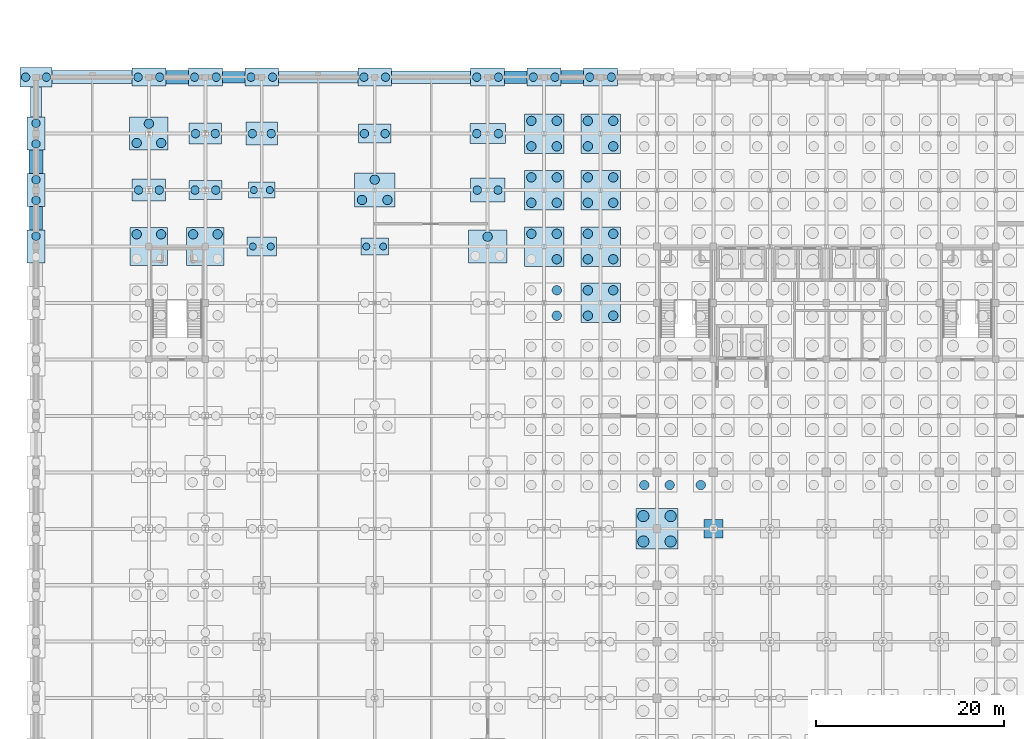
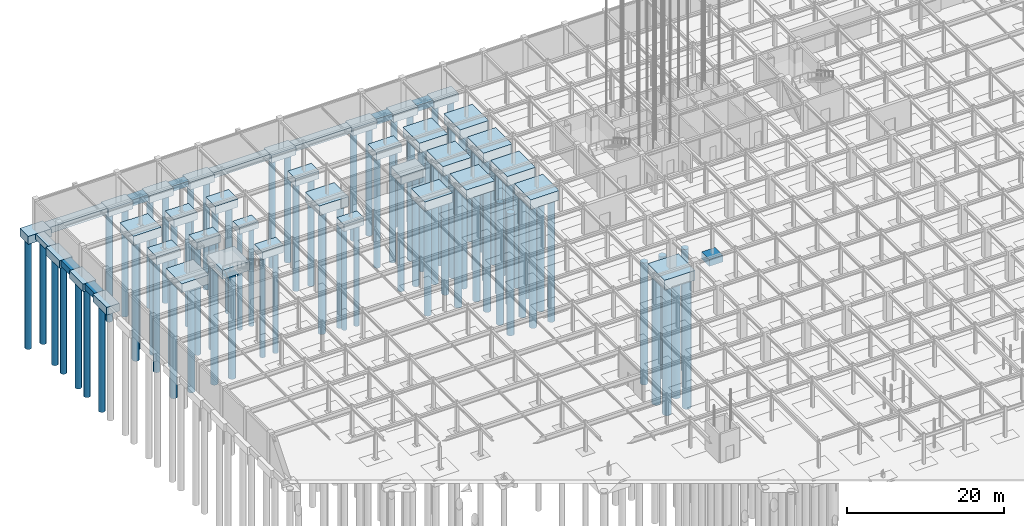
# One storey, part 6 of 69: 88 piles, 45 footings.
"""IFC4 building model written with IfcOpenShell, lengths in metres."""

from ifc_helpers import new_model, si_unit, direction, frame, origin, origin_2d, place, context, subcontext, project, spatial, rectangle, circle, extrude, material, material_profile, profile_set, type_object, element, save


model = new_model("IFC4")

# Units and contexts
model_context = context("Model", 3, precision=1e-05, world=origin(), true_north=direction((0.0, 1.0)))
body_context = subcontext(model_context, "Body", "Model", "MODEL_VIEW")
ifc_project = project(units=[si_unit("LENGTHUNIT", "METRE"), si_unit("AREAUNIT", "SQUARE_METRE"), si_unit("VOLUMEUNIT", "CUBIC_METRE"), si_unit("PLANEANGLEUNIT", "RADIAN"), si_unit("MASSUNIT", "GRAM", prefix="KILO")], contexts=[model_context])

# Site, building, storey
site_placement = place(None, origin())
site = spatial("IfcSite", under=ifc_project, at=site_placement, CompositionType="ELEMENT")
building_placement = place(site_placement, origin())
building = spatial("IfcBuilding", under=site, at=building_placement, Name="Zlatovratsky Civic Hall", CompositionType="ELEMENT")
storey_placement = place(building_placement, frame((0.0, 0.0, -4.800048828125)))
storey = spatial("IfcBuildingStorey", under=building, at=storey_placement, Name="B1", CompositionType="ELEMENT", Elevation=-4.800048828125)

# Footings
ifc_material = material(Name="Concrete C25/30 (B30)", Category="concrete")
footing_type_1 = type_object("IfcFootingType", Name="Footing_Cap1_ChamberUnder_2000x2000x1050", PredefinedType="PILE_CAP", material=ifc_material)
footing_1_placement = place(storey_placement, frame((72.0, 66.0, -1.0498046875), z_axis=(0.0, 0.0, 1.0), x_axis=(1.0, 0.0, 0.0)))
element("IfcFooting", 1, at=footing_1_placement, inside=storey, type_object=footing_type_1, Name="FD-217", PredefinedType="PILE_CAP", context=body_context, shape_type="SweptSolid", body=[
    extrude(rectangle(XDim=2.0, YDim=2.0, at=origin_2d()), origin(), (0.0, 0.0, 1.0), 1.050048828125),
])
footing_type_2 = type_object("IfcFootingType", Name="Footing_Cap2_ArchiveN_3500x2000x1200", PredefinedType="PILE_CAP", material=ifc_material)
for number, where, z_axis, x_axis, name in (
    (2, (18.0, 102.0, -1.19970703125), (0.0, 0.0, 1.0), (1.0, 0.0, 0.0), "FD-348"),
    (3, (36.0, 108.0, -1.19970703125), (0.0, 0.0, 1.0), (1.0, 0.0, 0.0), "FD-373"),
):
    element("IfcFooting", number, at=place(storey_placement, frame(where, z_axis=z_axis, x_axis=x_axis)), inside=storey, type_object=footing_type_2, Name=name, PredefinedType="PILE_CAP", context=body_context, shape_type="SweptSolid", body=[
        extrude(rectangle(XDim=3.5, YDim=2.0, at=origin_2d()), origin(), (0.0, 0.0, 1.0), 1.199951171875),
    ])
footing_type_3 = type_object("IfcFootingType", Name="Footing_Cap2_Boulevard_3550x2350x1300", PredefinedType="PILE_CAP", material=ifc_material)
footing_2_placement = place(storey_placement, frame((12.0, 102.0, -1.2998046875), z_axis=(0.0, 0.0, 1.0), x_axis=(1.0, 0.0, 0.0)))
element("IfcFooting", 4, at=footing_2_placement, inside=storey, type_object=footing_type_3, Name="FD-347", PredefinedType="PILE_CAP", context=body_context, shape_type="SweptSolid", body=[
    extrude(rectangle(XDim=3.550048828125, YDim=2.35009765625, at=origin_2d()), origin(), (0.0, 0.0, 1.0), 1.300048828125),
])
footing_type_4 = type_object("IfcFootingType", Name="Footing_Cap2_CornerBastion_3400x2100x1250", PredefinedType="PILE_CAP", material=ifc_material)
footing_3_placement = place(storey_placement, frame((0.0, 114.0, -1.25), z_axis=(0.0, 0.0, 1.0), x_axis=(1.0, 0.0, 0.0)))
element("IfcFooting", 5, at=footing_3_placement, inside=storey, type_object=footing_type_4, Name="FD-392", PredefinedType="PILE_CAP", context=body_context, shape_type="SweptSolid", body=[
    extrude(rectangle(XDim=3.39990234375, YDim=2.10009765625, at=origin_2d()), origin(), (0.0, 0.0, 1.0), 1.25),
])
footing_type_5 = type_object("IfcFootingType", Name="Footing_Cap2_CourtN_2950x1850x1100", PredefinedType="PILE_CAP", material=ifc_material)
footing_4_placement = place(storey_placement, frame((36.0, 96.0, -1.10009765625), z_axis=(0.0, 0.0, 1.0), x_axis=(1.0, 0.0, 0.0)))
element("IfcFooting", 6, at=footing_4_placement, inside=storey, type_object=footing_type_5, Name="FD-327", PredefinedType="PILE_CAP", context=body_context, shape_type="SweptSolid", body=[
    extrude(rectangle(XDim=2.949951171875, YDim=1.85009765625, at=origin_2d()), origin(), (0.0, 0.0, 1.0), 1.10009765625),
])
footing_type_6 = type_object("IfcFootingType", Name="Footing_Cap2_CourtS_2800x1700x1050", PredefinedType="PILE_CAP", material=ifc_material)
footing_5_placement = place(storey_placement, frame((24.0, 102.0, -1.0498046875), z_axis=(0.0, 0.0, 1.0), x_axis=(1.0, 0.0, 0.0)))
element("IfcFooting", 7, at=footing_5_placement, inside=storey, type_object=footing_type_6, Name="FD-349", PredefinedType="PILE_CAP", context=body_context, shape_type="SweptSolid", body=[
    extrude(rectangle(XDim=2.800048828125, YDim=1.699951171875, at=origin_2d()), origin(), (0.0, 0.0, 1.0), 1.050048828125),
])
footing_type_7 = type_object("IfcFootingType", Name="Footing_Cap2_Galleria_3150x2050x1150", PredefinedType="PILE_CAP", material=ifc_material)
footing_6_placement = place(storey_placement, frame((24.0, 96.0, -1.14990234375), z_axis=(0.0, 0.0, 1.0), x_axis=(1.0, 0.0, 0.0)))
element("IfcFooting", 8, at=footing_6_placement, inside=storey, type_object=footing_type_7, Name="FD-326", PredefinedType="PILE_CAP", context=body_context, shape_type="SweptSolid", body=[
    extrude(rectangle(XDim=3.14990234375, YDim=2.050048828125, at=origin_2d()), origin(), (0.0, 0.0, 1.0), 1.14990234375),
])
footing_type_8 = type_object("IfcFootingType", Name="Footing_Cap2_LibraryE_3650x2550x1300", PredefinedType="PILE_CAP", material=ifc_material)
footing_7_placement = place(storey_placement, frame((48.0, 102.0, -1.2998046875), z_axis=(0.0, 0.0, 1.0), x_axis=(1.0, 0.0, 0.0)))
element("IfcFooting", 9, at=footing_7_placement, inside=storey, type_object=footing_type_8, Name="FD-351", PredefinedType="PILE_CAP", context=body_context, shape_type="SweptSolid", body=[
    extrude(rectangle(XDim=3.64990234375, YDim=2.550048828125, at=origin_2d()), origin(), (0.0, 0.0, 1.0), 1.300048828125),
])
footing_type_9 = type_object("IfcFootingType", Name="Footing_Cap2_PlantB1_3350x2450x1250", PredefinedType="PILE_CAP", material=ifc_material)
footing_8_placement = place(storey_placement, frame((24.0, 108.0, -1.25), z_axis=(0.0, 0.0, 1.0), x_axis=(1.0, 0.0, 0.0)))
element("IfcFooting", 10, at=footing_8_placement, inside=storey, type_object=footing_type_9, Name="FD-372", PredefinedType="PILE_CAP", context=body_context, shape_type="SweptSolid", body=[
    extrude(rectangle(XDim=3.35009765625, YDim=2.449951171875, at=origin_2d()), origin(), (0.0, 0.0, 1.0), 1.25),
])
footing_type_10 = type_object("IfcFootingType", Name="Footing_Cap2_ReceptionW_3450x2250x1200", PredefinedType="PILE_CAP", material=ifc_material)
footing_9_placement = place(storey_placement, frame((18.0, 108.0, -1.19970703125), z_axis=(0.0, 0.0, 1.0), x_axis=(1.0, 0.0, 0.0)))
element("IfcFooting", 11, at=footing_9_placement, inside=storey, type_object=footing_type_10, Name="FD-371", PredefinedType="PILE_CAP", context=body_context, shape_type="SweptSolid", body=[
    extrude(rectangle(XDim=3.449951171875, YDim=2.25, at=origin_2d()), origin(), (0.0, 0.0, 1.0), 1.199951171875),
])
footing_type_11 = type_object("IfcFootingType", Name="Footing_Cap2_ServiceE_3750x2150x1250", PredefinedType="PILE_CAP", material=ifc_material)
footing_10_placement = place(storey_placement, frame((48.0, 108.0, -1.25), z_axis=(0.0, 0.0, 1.0), x_axis=(1.0, 0.0, 0.0)))
element("IfcFooting", 12, at=footing_10_placement, inside=storey, type_object=footing_type_11, Name="FD-374", PredefinedType="PILE_CAP", context=body_context, shape_type="SweptSolid", body=[
    extrude(rectangle(XDim=3.75, YDim=2.14990234375, at=origin_2d()), origin(), (0.0, 0.0, 1.0), 1.25),
])
footing_type_12 = type_object("IfcFootingType", Name="Footing_Cap2_WingEdgeX_3600x1900x1200", PredefinedType="PILE_CAP", material=ifc_material)
for number, where, z_axis, x_axis, name in (
    (13, (12.0, 114.0, -1.19970703125), (0.0, 0.0, 1.0), (1.0, 0.0, 0.0), "FD-393"),
    (14, (18.0, 114.0, -1.19970703125), (0.0, 0.0, 1.0), (1.0, 0.0, 0.0), "FD-394"),
    (15, (24.0, 114.0, -1.19970703125), (0.0, 0.0, 1.0), (1.0, 0.0, 0.0), "FD-395"),
    (16, (36.0, 114.0, -1.19970703125), (0.0, 0.0, 1.0), (1.0, 0.0, 0.0), "FD-396"),
    (17, (48.0, 114.0, -1.19970703125), (0.0, 0.0, 1.0), (1.0, 0.0, 0.0), "FD-397"),
    (18, (54.0, 114.0, -1.19970703125), (0.0, 0.0, 1.0), (1.0, 0.0, 0.0), "FD-398"),
    (19, (60.0, 114.0, -1.19970703125), (0.0, 0.0, 1.0), (1.0, 0.0, 0.0), "FD-399"),
):
    element("IfcFooting", number, at=place(storey_placement, frame(where, z_axis=z_axis, x_axis=x_axis)), inside=storey, type_object=footing_type_12, Name=name, PredefinedType="PILE_CAP", context=body_context, shape_type="SweptSolid", body=[
        extrude(rectangle(XDim=3.60009765625, YDim=1.89990234375, at=origin_2d()), origin(), (0.0, 0.0, 1.0), 1.199951171875),
    ])
footing_type_13 = type_object("IfcFootingType", Name="Footing_Cap2_WingEdgeY_1900x3500x1200", PredefinedType="PILE_CAP", material=ifc_material)
for number, where, z_axis, x_axis, name in (
    (20, (0.0, 96.0, -1.19970703125), (0.0, 0.0, 1.0), (1.0, 0.0, 0.0), "FD-323"),
    (21, (0.0, 102.0, -1.19970703125), (0.0, 0.0, 1.0), (1.0, 0.0, 0.0), "FD-346"),
    (22, (0.0, 108.0, -1.19970703125), (0.0, 0.0, 1.0), (1.0, 0.0, 0.0), "FD-369"),
):
    element("IfcFooting", number, at=place(storey_placement, frame(where, z_axis=z_axis, x_axis=x_axis)), inside=storey, type_object=footing_type_13, Name=name, PredefinedType="PILE_CAP", context=body_context, shape_type="SweptSolid", body=[
        extrude(rectangle(XDim=1.89990234375, YDim=3.5, at=origin_2d()), origin(), (0.0, 0.0, 1.0), 1.199951171875),
    ])
footing_type_14 = type_object("IfcFootingType", Name="Footing_Cap3_TowerFlank_4100x3500x1450", PredefinedType="PILE_CAP", material=ifc_material)
for number, where, z_axis, x_axis, name in (
    (23, (48.0, 96.0, -1.44970703125), (0.0, 0.0, 1.0), (1.0, 0.0, 0.0), "FD-328"),
    (24, (12.0, 108.0, -1.44970703125), (0.0, 0.0, 1.0), (1.0, 0.0, 0.0), "FD-370"),
):
    element("IfcFooting", number, at=place(storey_placement, frame(where, z_axis=z_axis, x_axis=x_axis)), inside=storey, type_object=footing_type_14, Name=name, PredefinedType="PILE_CAP", context=body_context, shape_type="SweptSolid", body=[
        extrude(rectangle(XDim=4.10009765625, YDim=3.5, at=origin_2d()), origin(), (0.0, 0.0, 1.0), 1.449951171875),
    ])
footing_type_15 = type_object("IfcFootingType", Name="Footing_Cap3_TowerNorth_4300x3600x1500", PredefinedType="PILE_CAP", material=ifc_material)
footing_11_placement = place(storey_placement, frame((36.0, 102.0, -1.5), z_axis=(0.0, 0.0, 1.0), x_axis=(1.0, 0.0, 0.0)))
element("IfcFooting", 25, at=footing_11_placement, inside=storey, type_object=footing_type_15, Name="FD-350", PredefinedType="PILE_CAP", context=body_context, shape_type="SweptSolid", body=[
    extrude(rectangle(XDim=4.300048828125, YDim=3.60009765625, at=origin_2d()), origin(), (0.0, 0.0, 1.0), 1.5),
])
footing_type_16 = type_object("IfcFootingType", Name="Footing_Cap4_ChamberDrum_4500x4300x1550", PredefinedType="PILE_CAP", material=ifc_material)
footing_12_placement = place(storey_placement, frame((66.0, 66.0, -1.5498046875), z_axis=(0.0, 0.0, 1.0), x_axis=(1.0, 0.0, 0.0)))
element("IfcFooting", 26, at=footing_12_placement, inside=storey, type_object=footing_type_16, Name="FD-216", PredefinedType="PILE_CAP", context=body_context, shape_type="SweptSolid", body=[
    extrude(rectangle(XDim=4.5, YDim=4.300048828125, at=origin_2d()), origin(), (0.0, 0.0, 1.0), 1.550048828125),
])
footing_type_17 = type_object("IfcFootingType", Name="Footing_Cap4_PodiumCore_4000x4000x1400", PredefinedType="PILE_CAP", material=ifc_material)
for number, where, z_axis, x_axis, name in (
    (27, (12.0, 96.0, -1.39990234375), (0.0, 0.0, 1.0), (1.0, 0.0, 0.0), "FD-324"),
    (28, (18.0, 96.0, -1.39990234375), (0.0, 0.0, 1.0), (1.0, 0.0, 0.0), "FD-325"),
):
    element("IfcFooting", number, at=place(storey_placement, frame(where, z_axis=z_axis, x_axis=x_axis)), inside=storey, type_object=footing_type_17, Name=name, PredefinedType="PILE_CAP", context=body_context, shape_type="SweptSolid", body=[
        extrude(rectangle(XDim=4.0, YDim=4.0, at=origin_2d()), origin(), (0.0, 0.0, 1.0), 1.39990234375),
    ])
footing_type_18 = type_object("IfcFootingType", Name="Footing_Cap4_TowerMid_4200x4200x1500", PredefinedType="PILE_CAP", material=ifc_material)
for number, where, z_axis, x_axis, name in (
    (29, (60.0, 90.0, -1.5), (0.0, 0.0, 1.0), (1.0, 0.0, 0.0), "FD-307"),
    (30, (54.0, 96.0, -1.5), (0.0, 0.0, 1.0), (1.0, 0.0, 0.0), "FD-329"),
    (31, (60.0, 96.0, -1.5), (0.0, 0.0, 1.0), (1.0, 0.0, 0.0), "FD-330"),
    (32, (54.0, 102.0, -1.5), (0.0, 0.0, 1.0), (1.0, 0.0, 0.0), "FD-352"),
    (33, (60.0, 102.0, -1.5), (0.0, 0.0, 1.0), (1.0, 0.0, 0.0), "FD-353"),
    (34, (54.0, 108.0, -1.5), (0.0, 0.0, 1.0), (1.0, 0.0, 0.0), "FD-375"),
    (35, (60.0, 108.0, -1.5), (0.0, 0.0, 1.0), (1.0, 0.0, 0.0), "FD-376"),
):
    element("IfcFooting", number, at=place(storey_placement, frame(where, z_axis=z_axis, x_axis=x_axis)), inside=storey, type_object=footing_type_18, Name=name, PredefinedType="PILE_CAP", context=body_context, shape_type="SweptSolid", body=[
        extrude(rectangle(XDim=4.199951171875, YDim=4.199951171875, at=origin_2d()), origin(), (0.0, 0.0, 1.0), 1.5),
    ])
footing_type_19 = type_object("IfcFootingType", Name="Footing_Strip_B1_01", PredefinedType="STRIP_FOOTING", material=ifc_material)
footing_13_placement = place(storey_placement, frame((21.0, 114.0, -0.85009765625), z_axis=(0.0, 0.0, 1.0), x_axis=(1.0, 0.0, 0.0)))
element("IfcFooting", 36, at=footing_13_placement, inside=storey, type_object=footing_type_19, Name="FD-439", PredefinedType="STRIP_FOOTING", context=body_context, shape_type="SweptSolid", body=[
    extrude(rectangle(XDim=2.39990234375, YDim=1.199951171875, at=origin_2d()), origin(), (0.0, 0.0, 1.0), 0.85009765625),
])
footing_14_placement = place(storey_placement, frame((0.0, 111.35009765625, -0.85009765625), z_axis=(0.0, 0.0, 1.0), x_axis=(1.0, 0.0, 0.0)))
element("IfcFooting", 37, at=footing_14_placement, inside=storey, type_object=footing_type_19, Name="FD-475", PredefinedType="STRIP_FOOTING", context=body_context, shape_type="SweptSolid", body=[
    extrude(rectangle(XDim=1.199951171875, YDim=3.199951171875, at=origin_2d()), origin(), (0.0, 0.0, 1.0), 0.85009765625),
])
footing_type_20 = type_object("IfcFootingType", Name="Footing_Strip_B1_02", PredefinedType="STRIP_FOOTING", material=ifc_material)
footing_15_placement = place(storey_placement, frame((30.0, 114.0, -0.85009765625), z_axis=(0.0, 0.0, 1.0), x_axis=(1.0, 0.0, 0.0)))
element("IfcFooting", 38, at=footing_15_placement, inside=storey, type_object=footing_type_20, Name="FD-440", PredefinedType="STRIP_FOOTING", context=body_context, shape_type="SweptSolid", body=[
    extrude(rectangle(XDim=8.39990234375, YDim=1.25, at=origin_2d()), origin(), (0.0, 0.0, 1.0), 0.85009765625),
])
footing_type_21 = type_object("IfcFootingType", Name="Footing_Strip_B1_03", PredefinedType="STRIP_FOOTING", material=ifc_material)
footing_16_placement = place(storey_placement, frame((42.0, 114.0, -0.89990234375), z_axis=(0.0, 0.0, 1.0), x_axis=(1.0, 0.0, 0.0)))
element("IfcFooting", 39, at=footing_16_placement, inside=storey, type_object=footing_type_21, Name="FD-441", PredefinedType="STRIP_FOOTING", context=body_context, shape_type="SweptSolid", body=[
    extrude(rectangle(XDim=8.39990234375, YDim=1.300048828125, at=origin_2d()), origin(), (0.0, 0.0, 1.0), 0.89990234375),
])
footing_type_22 = type_object("IfcFootingType", Name="Footing_Strip_B1_04", PredefinedType="STRIP_FOOTING", material=ifc_material)
footing_17_placement = place(storey_placement, frame((51.0, 114.0, -0.89990234375), z_axis=(0.0, 0.0, 1.0), x_axis=(1.0, 0.0, 0.0)))
element("IfcFooting", 40, at=footing_17_placement, inside=storey, type_object=footing_type_22, Name="FD-442", PredefinedType="STRIP_FOOTING", context=body_context, shape_type="SweptSolid", body=[
    extrude(rectangle(XDim=2.39990234375, YDim=1.35009765625, at=origin_2d()), origin(), (0.0, 0.0, 1.0), 0.89990234375),
])
footing_type_23 = type_object("IfcFootingType", Name="Footing_Strip_B1_05", PredefinedType="STRIP_FOOTING", material=ifc_material)
footing_18_placement = place(storey_placement, frame((5.949951171875, 114.0, -0.94970703125), z_axis=(0.0, 0.0, 1.0), x_axis=(1.0, 0.0, 0.0)))
element("IfcFooting", 41, at=footing_18_placement, inside=storey, type_object=footing_type_23, Name="FD-437", PredefinedType="STRIP_FOOTING", context=body_context, shape_type="SweptSolid", body=[
    extrude(rectangle(XDim=8.5, YDim=1.39990234375, at=origin_2d()), origin(), (0.0, 0.0, 1.0), 0.949951171875),
])
footing_19_placement = place(storey_placement, frame((57.0, 114.0, -0.94970703125), z_axis=(0.0, 0.0, 1.0), x_axis=(1.0, 0.0, 0.0)))
element("IfcFooting", 42, at=footing_19_placement, inside=storey, type_object=footing_type_23, Name="FD-443", PredefinedType="STRIP_FOOTING", context=body_context, shape_type="SweptSolid", body=[
    extrude(rectangle(XDim=2.39990234375, YDim=1.39990234375, at=origin_2d()), origin(), (0.0, 0.0, 1.0), 0.949951171875),
])
footing_20_placement = place(storey_placement, frame((0.0, 99.0, -0.94970703125), z_axis=(0.0, 0.0, 1.0), x_axis=(1.0, 0.0, 0.0)))
element("IfcFooting", 43, at=footing_20_placement, inside=storey, type_object=footing_type_23, Name="FD-473", PredefinedType="STRIP_FOOTING", context=body_context, shape_type="SweptSolid", body=[
    extrude(rectangle(XDim=1.39990234375, YDim=2.5, at=origin_2d()), origin(), (0.0, 0.0, 1.0), 0.949951171875),
])
footing_type_24 = type_object("IfcFootingType", Name="Footing_Strip_B1_06", PredefinedType="STRIP_FOOTING", material=ifc_material)
footing_21_placement = place(storey_placement, frame((15.0, 114.0, -0.94970703125), z_axis=(0.0, 0.0, 1.0), x_axis=(1.0, 0.0, 0.0)))
element("IfcFooting", 44, at=footing_21_placement, inside=storey, type_object=footing_type_24, Name="FD-438", PredefinedType="STRIP_FOOTING", context=body_context, shape_type="SweptSolid", body=[
    extrude(rectangle(XDim=2.39990234375, YDim=1.449951171875, at=origin_2d()), origin(), (0.0, 0.0, 1.0), 0.949951171875),
])
footing_22_placement = place(storey_placement, frame((0.0, 105.0, -0.94970703125), z_axis=(0.0, 0.0, 1.0), x_axis=(1.0, 0.0, 0.0)))
element("IfcFooting", 45, at=footing_22_placement, inside=storey, type_object=footing_type_24, Name="FD-474", PredefinedType="STRIP_FOOTING", context=body_context, shape_type="SweptSolid", body=[
    extrude(rectangle(XDim=1.449951171875, YDim=2.5, at=origin_2d()), origin(), (0.0, 0.0, 1.0), 0.949951171875),
])

# Piles
ifc_material_profile_1 = material_profile(ifc_material, circle(Radius=0.5, at=origin_2d()), Name="PILE D1000")
ifc_profile_set_1 = profile_set([ifc_material_profile_1], Name="Concrete C25/30 (B30)")
pile_type_1 = type_object("IfcPileType", Name="Pile_Bored_D1000", PredefinedType="BORED", material=ifc_profile_set_1)
for number, where, z_axis, x_axis, name in (
    (46, (64.64990234375, 70.64990234375, -1.39990234375), (0.0, 0.0, -1.0), (1.0, 0.0, 0.0), "PL-0588"),
    (47, (67.35009765625, 70.64990234375, -1.39990234375), (0.0, 0.0, -1.0), (1.0, 0.0, 0.0), "PL-0589"),
    (48, (70.64990234375, 70.64990234375, -1.39990234375), (0.0, 0.0, -1.0), (1.0, 0.0, 0.0), "PL-0592"),
    (49, (55.35009765625, 88.64990234375, -1.39990234375), (0.0, 0.0, -1.0), (1.0, 0.0, 0.0), "PL-0799"),
    (50, (55.35009765625, 91.35009765625, -1.39990234375), (0.0, 0.0, -1.0), (1.0, 0.0, 0.0), "PL-0801"),
    (51, (58.64990234375, 88.64990234375, -1.39990234375), (0.0, 0.0, -1.0), (1.0, 0.0, 0.0), "PL-0802"),
    (52, (61.35009765625, 88.64990234375, -1.39990234375), (0.0, 0.0, -1.0), (1.0, 0.0, 0.0), "PL-0803"),
    (53, (58.64990234375, 91.35009765625, -1.39990234375), (0.0, 0.0, -1.0), (1.0, 0.0, 0.0), "PL-0804"),
    (54, (61.35009765625, 91.35009765625, -1.39990234375), (0.0, 0.0, -1.0), (1.0, 0.0, 0.0), "PL-0805"),
):
    element("IfcPile", number, at=place(storey_placement, frame(where, z_axis=z_axis, x_axis=x_axis)), inside=storey, type_object=pile_type_1, Name=name, PredefinedType="BORED", context=body_context, shape_type="SweptSolid", body=[
        extrude(circle(Radius=0.5, at=origin_2d()), origin(), (0.0, 0.0, 1.0), 19.0),
    ])
for number, where, z_axis, x_axis, name in (
    (55, (10.699951171875, 97.300048828125, -1.300048828125), (0.0, 0.0, -1.0), (1.0, 0.0, 0.0), "PL-0863"),
    (56, (13.300048828125, 97.300048828125, -1.300048828125), (0.0, 0.0, -1.0), (1.0, 0.0, 0.0), "PL-0864"),
    (57, (16.699951171875, 97.300048828125, -1.300048828125), (0.0, 0.0, -1.0), (1.0, 0.0, 0.0), "PL-0867"),
    (58, (19.300048828125, 97.300048828125, -1.300048828125), (0.0, 0.0, -1.0), (1.0, 0.0, 0.0), "PL-0868"),
    (59, (48.0, 97.050048828125, -1.349853515625), (0.0, 0.0, -1.0), (1.0, 0.0, 0.0), "PL-0875"),
):
    element("IfcPile", number, at=place(storey_placement, frame(where, z_axis=z_axis, x_axis=x_axis)), inside=storey, type_object=pile_type_1, Name=name, PredefinedType="BORED", context=body_context, shape_type="SweptSolid", body=[
        extrude(circle(Radius=0.5, at=origin_2d()), origin(), (0.0, 0.0, 1.0), 18.5),
    ])
for number, where, z_axis, x_axis, name in (
    (60, (55.35009765625, 94.64990234375, -1.39990234375), (0.0, 0.0, -1.0), (1.0, 0.0, 0.0), "PL-0877"),
    (61, (52.64990234375, 97.35009765625, -1.39990234375), (0.0, 0.0, -1.0), (1.0, 0.0, 0.0), "PL-0878"),
    (62, (55.35009765625, 97.35009765625, -1.39990234375), (0.0, 0.0, -1.0), (1.0, 0.0, 0.0), "PL-0879"),
    (63, (58.64990234375, 94.64990234375, -1.39990234375), (0.0, 0.0, -1.0), (1.0, 0.0, 0.0), "PL-0880"),
    (64, (61.35009765625, 94.64990234375, -1.39990234375), (0.0, 0.0, -1.0), (1.0, 0.0, 0.0), "PL-0881"),
    (65, (58.64990234375, 97.35009765625, -1.39990234375), (0.0, 0.0, -1.0), (1.0, 0.0, 0.0), "PL-0882"),
    (66, (61.35009765625, 97.35009765625, -1.39990234375), (0.0, 0.0, -1.0), (1.0, 0.0, 0.0), "PL-0883"),
    (67, (34.64990234375, 100.949951171875, -1.39990234375), (0.0, 0.0, -1.0), (1.0, 0.0, 0.0), "PL-0945"),
    (68, (37.35009765625, 100.949951171875, -1.39990234375), (0.0, 0.0, -1.0), (1.0, 0.0, 0.0), "PL-0946"),
    (69, (36.0, 103.10009765625, -1.39990234375), (0.0, 0.0, -1.0), (1.0, 0.0, 0.0), "PL-0947"),
    (70, (52.64990234375, 100.64990234375, -1.39990234375), (0.0, 0.0, -1.0), (1.0, 0.0, 0.0), "PL-0950"),
    (71, (55.35009765625, 100.64990234375, -1.39990234375), (0.0, 0.0, -1.0), (1.0, 0.0, 0.0), "PL-0951"),
    (72, (52.64990234375, 103.35009765625, -1.39990234375), (0.0, 0.0, -1.0), (1.0, 0.0, 0.0), "PL-0952"),
    (73, (55.35009765625, 103.35009765625, -1.39990234375), (0.0, 0.0, -1.0), (1.0, 0.0, 0.0), "PL-0953"),
    (74, (58.64990234375, 100.64990234375, -1.39990234375), (0.0, 0.0, -1.0), (1.0, 0.0, 0.0), "PL-0954"),
    (75, (61.35009765625, 100.64990234375, -1.39990234375), (0.0, 0.0, -1.0), (1.0, 0.0, 0.0), "PL-0955"),
    (76, (58.64990234375, 103.35009765625, -1.39990234375), (0.0, 0.0, -1.0), (1.0, 0.0, 0.0), "PL-0956"),
    (77, (61.35009765625, 103.35009765625, -1.39990234375), (0.0, 0.0, -1.0), (1.0, 0.0, 0.0), "PL-0957"),
):
    element("IfcPile", number, at=place(storey_placement, frame(where, z_axis=z_axis, x_axis=x_axis)), inside=storey, type_object=pile_type_1, Name=name, PredefinedType="BORED", context=body_context, shape_type="SweptSolid", body=[
        extrude(circle(Radius=0.5, at=origin_2d()), origin(), (0.0, 0.0, 1.0), 19.0),
    ])
for number, where, z_axis, x_axis, name in (
    (78, (10.699951171875, 107.0, -1.349853515625), (0.0, 0.0, -1.0), (1.0, 0.0, 0.0), "PL-1008"),
    (79, (13.300048828125, 107.0, -1.349853515625), (0.0, 0.0, -1.0), (1.0, 0.0, 0.0), "PL-1009"),
    (80, (12.0, 109.050048828125, -1.349853515625), (0.0, 0.0, -1.0), (1.0, 0.0, 0.0), "PL-1010"),
):
    element("IfcPile", number, at=place(storey_placement, frame(where, z_axis=z_axis, x_axis=x_axis)), inside=storey, type_object=pile_type_1, Name=name, PredefinedType="BORED", context=body_context, shape_type="SweptSolid", body=[
        extrude(circle(Radius=0.5, at=origin_2d()), origin(), (0.0, 0.0, 1.0), 18.5),
    ])
for number, where, z_axis, x_axis, name in (
    (81, (52.64990234375, 106.64990234375, -1.39990234375), (0.0, 0.0, -1.0), (1.0, 0.0, 0.0), "PL-1019"),
    (82, (55.35009765625, 106.64990234375, -1.39990234375), (0.0, 0.0, -1.0), (1.0, 0.0, 0.0), "PL-1020"),
    (83, (52.64990234375, 109.35009765625, -1.39990234375), (0.0, 0.0, -1.0), (1.0, 0.0, 0.0), "PL-1021"),
    (84, (55.35009765625, 109.35009765625, -1.39990234375), (0.0, 0.0, -1.0), (1.0, 0.0, 0.0), "PL-1022"),
    (85, (58.64990234375, 106.64990234375, -1.39990234375), (0.0, 0.0, -1.0), (1.0, 0.0, 0.0), "PL-1023"),
    (86, (61.35009765625, 106.64990234375, -1.39990234375), (0.0, 0.0, -1.0), (1.0, 0.0, 0.0), "PL-1024"),
    (87, (58.64990234375, 109.35009765625, -1.39990234375), (0.0, 0.0, -1.0), (1.0, 0.0, 0.0), "PL-1025"),
    (88, (61.35009765625, 109.35009765625, -1.39990234375), (0.0, 0.0, -1.0), (1.0, 0.0, 0.0), "PL-1026"),
):
    element("IfcPile", number, at=place(storey_placement, frame(where, z_axis=z_axis, x_axis=x_axis)), inside=storey, type_object=pile_type_1, Name=name, PredefinedType="BORED", context=body_context, shape_type="SweptSolid", body=[
        extrude(circle(Radius=0.5, at=origin_2d()), origin(), (0.0, 0.0, 1.0), 19.0),
    ])
ifc_material_profile_2 = material_profile(ifc_material, circle(Radius=0.60009765625, at=origin_2d()), Name="PILE D1200")
ifc_profile_set_2 = profile_set([ifc_material_profile_2], Name="Concrete C25/30 (B30)")
pile_type_2 = type_object("IfcPileType", Name="Pile_Bored_D1200", PredefinedType="BORED", material=ifc_profile_set_2)
for number, where, z_axis, x_axis, name in (
    (89, (64.550048828125, 64.64990234375, -1.449951171875), (0.0, 0.0, -1.0), (1.0, 0.0, 0.0), "PL-0534"),
    (90, (67.449951171875, 64.64990234375, -1.449951171875), (0.0, 0.0, -1.0), (1.0, 0.0, 0.0), "PL-0535"),
    (91, (64.550048828125, 67.35009765625, -1.449951171875), (0.0, 0.0, -1.0), (1.0, 0.0, 0.0), "PL-0536"),
    (92, (67.449951171875, 67.35009765625, -1.449951171875), (0.0, 0.0, -1.0), (1.0, 0.0, 0.0), "PL-0537"),
):
    element("IfcPile", number, at=place(storey_placement, frame(where, z_axis=z_axis, x_axis=x_axis)), inside=storey, type_object=pile_type_2, Name=name, PredefinedType="BORED", context=body_context, shape_type="SweptSolid", body=[
        extrude(circle(Radius=0.60009765625, at=origin_2d()), origin(), (0.0, 0.0, 1.0), 20.0),
    ])
ifc_material_profile_3 = material_profile(ifc_material, circle(Radius=0.375, at=origin_2d()), Name="PILE D750")
ifc_profile_set_3 = profile_set([ifc_material_profile_3], Name="Concrete C25/30 (B30)")
pile_type_3 = type_object("IfcPileType", Name="Pile_Bored_D750", PredefinedType="BORED", material=ifc_profile_set_3)
for number, where, z_axis, x_axis, name in (
    (93, (23.050048828125, 96.0, -1.050048828125), (0.0, 0.0, -1.0), (1.0, 0.0, 0.0), "PL-0869"),
    (94, (24.949951171875, 96.0, -1.050048828125), (0.0, 0.0, -1.0), (1.0, 0.0, 0.0), "PL-0870"),
    (95, (35.10009765625, 96.0, -1.0), (0.0, 0.0, -1.0), (1.0, 0.0, 0.0), "PL-0871"),
    (96, (36.89990234375, 96.0, -1.0), (0.0, 0.0, -1.0), (1.0, 0.0, 0.0), "PL-0872"),
):
    element("IfcPile", number, at=place(storey_placement, frame(where, z_axis=z_axis, x_axis=x_axis)), inside=storey, type_object=pile_type_3, Name=name, PredefinedType="BORED", context=body_context, shape_type="SweptSolid", body=[
        extrude(circle(Radius=0.375, at=origin_2d()), origin(), (0.0, 0.0, 1.0), 16.0),
    ])
for number, where, z_axis, x_axis, name in (
    (97, (23.14990234375, 102.0, -0.949951171875), (0.0, 0.0, -1.0), (1.0, 0.0, 0.0), "PL-0943"),
    (98, (24.85009765625, 102.0, -0.949951171875), (0.0, 0.0, -1.0), (1.0, 0.0, 0.0), "PL-0944"),
):
    element("IfcPile", number, at=place(storey_placement, frame(where, z_axis=z_axis, x_axis=x_axis)), inside=storey, type_object=pile_type_3, Name=name, PredefinedType="BORED", context=body_context, shape_type="SweptSolid", body=[
        extrude(circle(Radius=0.375, at=origin_2d()), origin(), (0.0, 0.0, 1.0), 15.5),
    ])
ifc_material_profile_4 = material_profile(ifc_material, circle(Radius=0.449951171875, at=origin_2d()), Name="PILE D900")
ifc_profile_set_4 = profile_set([ifc_material_profile_4], Name="Concrete C25/30 (B30)")
pile_type_4 = type_object("IfcPileType", Name="Pile_Bored_D900", PredefinedType="BORED", material=ifc_profile_set_4)
for number, where, z_axis, x_axis, name in (
    (99, (0.0, 97.10009765625, -1.099853515625), (0.0, 0.0, -1.0), (1.0, 0.0, 0.0), "PL-0860"),
    (100, (0.0, 100.89990234375, -1.099853515625), (0.0, 0.0, -1.0), (1.0, 0.0, 0.0), "PL-0937"),
    (101, (0.0, 103.10009765625, -1.099853515625), (0.0, 0.0, -1.0), (1.0, 0.0, 0.0), "PL-0938"),
):
    element("IfcPile", number, at=place(storey_placement, frame(where, z_axis=z_axis, x_axis=x_axis)), inside=storey, type_object=pile_type_4, Name=name, PredefinedType="BORED", context=body_context, shape_type="SweptSolid", body=[
        extrude(circle(Radius=0.449951171875, at=origin_2d()), origin(), (0.0, 0.0, 1.0), 17.0),
    ])
for number, where, z_axis, x_axis, name in (
    (102, (10.89990234375, 102.0, -1.199951171875), (0.0, 0.0, -1.0), (1.0, 0.0, 0.0), "PL-0939"),
    (103, (13.10009765625, 102.0, -1.199951171875), (0.0, 0.0, -1.0), (1.0, 0.0, 0.0), "PL-0940"),
):
    element("IfcPile", number, at=place(storey_placement, frame(where, z_axis=z_axis, x_axis=x_axis)), inside=storey, type_object=pile_type_4, Name=name, PredefinedType="BORED", context=body_context, shape_type="SweptSolid", body=[
        extrude(circle(Radius=0.449951171875, at=origin_2d()), origin(), (0.0, 0.0, 1.0), 17.5),
    ])
for number, where, z_axis, x_axis, name in (
    (104, (16.89990234375, 102.0, -1.099853515625), (0.0, 0.0, -1.0), (1.0, 0.0, 0.0), "PL-0941"),
    (105, (19.10009765625, 102.0, -1.099853515625), (0.0, 0.0, -1.0), (1.0, 0.0, 0.0), "PL-0942"),
):
    element("IfcPile", number, at=place(storey_placement, frame(where, z_axis=z_axis, x_axis=x_axis)), inside=storey, type_object=pile_type_4, Name=name, PredefinedType="BORED", context=body_context, shape_type="SweptSolid", body=[
        extrude(circle(Radius=0.449951171875, at=origin_2d()), origin(), (0.0, 0.0, 1.0), 17.0),
    ])
for number, where, z_axis, x_axis, name in (
    (106, (46.89990234375, 102.0, -1.199951171875), (0.0, 0.0, -1.0), (1.0, 0.0, 0.0), "PL-0948"),
    (107, (49.10009765625, 102.0, -1.199951171875), (0.0, 0.0, -1.0), (1.0, 0.0, 0.0), "PL-0949"),
):
    element("IfcPile", number, at=place(storey_placement, frame(where, z_axis=z_axis, x_axis=x_axis)), inside=storey, type_object=pile_type_4, Name=name, PredefinedType="BORED", context=body_context, shape_type="SweptSolid", body=[
        extrude(circle(Radius=0.449951171875, at=origin_2d()), origin(), (0.0, 0.0, 1.0), 17.5),
    ])
for number, where, z_axis, x_axis, name in (
    (108, (0.0, 106.89990234375, -1.099853515625), (0.0, 0.0, -1.0), (1.0, 0.0, 0.0), "PL-1006"),
    (109, (0.0, 109.10009765625, -1.099853515625), (0.0, 0.0, -1.0), (1.0, 0.0, 0.0), "PL-1007"),
    (110, (16.949951171875, 108.0, -1.099853515625), (0.0, 0.0, -1.0), (1.0, 0.0, 0.0), "PL-1011"),
    (111, (19.050048828125, 108.0, -1.099853515625), (0.0, 0.0, -1.0), (1.0, 0.0, 0.0), "PL-1012"),
    (112, (23.0, 108.0, -1.14990234375), (0.0, 0.0, -1.0), (1.0, 0.0, 0.0), "PL-1013"),
    (113, (25.0, 108.0, -1.14990234375), (0.0, 0.0, -1.0), (1.0, 0.0, 0.0), "PL-1014"),
    (114, (34.89990234375, 108.0, -1.099853515625), (0.0, 0.0, -1.0), (1.0, 0.0, 0.0), "PL-1015"),
    (115, (37.10009765625, 108.0, -1.099853515625), (0.0, 0.0, -1.0), (1.0, 0.0, 0.0), "PL-1016"),
):
    element("IfcPile", number, at=place(storey_placement, frame(where, z_axis=z_axis, x_axis=x_axis)), inside=storey, type_object=pile_type_4, Name=name, PredefinedType="BORED", context=body_context, shape_type="SweptSolid", body=[
        extrude(circle(Radius=0.449951171875, at=origin_2d()), origin(), (0.0, 0.0, 1.0), 17.0),
    ])
for number, where, z_axis, x_axis, name in (
    (116, (46.85009765625, 108.0, -1.14990234375), (0.0, 0.0, -1.0), (1.0, 0.0, 0.0), "PL-1017"),
    (117, (49.14990234375, 108.0, -1.14990234375), (0.0, 0.0, -1.0), (1.0, 0.0, 0.0), "PL-1018"),
):
    element("IfcPile", number, at=place(storey_placement, frame(where, z_axis=z_axis, x_axis=x_axis)), inside=storey, type_object=pile_type_4, Name=name, PredefinedType="BORED", context=body_context, shape_type="SweptSolid", body=[
        extrude(circle(Radius=0.449951171875, at=origin_2d()), origin(), (0.0, 0.0, 1.0), 17.5),
    ])
for number, where, z_axis, x_axis, name in (
    (118, (-1.10009765625, 114.0, -1.14990234375), (0.0, 0.0, -1.0), (1.0, 0.0, 0.0), "PL-1076"),
    (119, (1.10009765625, 114.0, -1.14990234375), (0.0, 0.0, -1.0), (1.0, 0.0, 0.0), "PL-1077"),
    (120, (10.85009765625, 114.0, -1.099853515625), (0.0, 0.0, -1.0), (1.0, 0.0, 0.0), "PL-1078"),
    (121, (13.14990234375, 114.0, -1.099853515625), (0.0, 0.0, -1.0), (1.0, 0.0, 0.0), "PL-1079"),
    (122, (16.85009765625, 114.0, -1.099853515625), (0.0, 0.0, -1.0), (1.0, 0.0, 0.0), "PL-1080"),
    (123, (19.14990234375, 114.0, -1.099853515625), (0.0, 0.0, -1.0), (1.0, 0.0, 0.0), "PL-1081"),
    (124, (22.85009765625, 114.0, -1.099853515625), (0.0, 0.0, -1.0), (1.0, 0.0, 0.0), "PL-1082"),
    (125, (25.14990234375, 114.0, -1.099853515625), (0.0, 0.0, -1.0), (1.0, 0.0, 0.0), "PL-1083"),
    (126, (34.85009765625, 114.0, -1.099853515625), (0.0, 0.0, -1.0), (1.0, 0.0, 0.0), "PL-1084"),
    (127, (37.14990234375, 114.0, -1.099853515625), (0.0, 0.0, -1.0), (1.0, 0.0, 0.0), "PL-1085"),
    (128, (46.85009765625, 114.0, -1.099853515625), (0.0, 0.0, -1.0), (1.0, 0.0, 0.0), "PL-1086"),
    (129, (49.14990234375, 114.0, -1.099853515625), (0.0, 0.0, -1.0), (1.0, 0.0, 0.0), "PL-1087"),
    (130, (52.85009765625, 114.0, -1.099853515625), (0.0, 0.0, -1.0), (1.0, 0.0, 0.0), "PL-1088"),
    (131, (55.14990234375, 114.0, -1.099853515625), (0.0, 0.0, -1.0), (1.0, 0.0, 0.0), "PL-1089"),
    (132, (58.85009765625, 114.0, -1.099853515625), (0.0, 0.0, -1.0), (1.0, 0.0, 0.0), "PL-1090"),
    (133, (61.14990234375, 114.0, -1.099853515625), (0.0, 0.0, -1.0), (1.0, 0.0, 0.0), "PL-1091"),
):
    element("IfcPile", number, at=place(storey_placement, frame(where, z_axis=z_axis, x_axis=x_axis)), inside=storey, type_object=pile_type_4, Name=name, PredefinedType="BORED", context=body_context, shape_type="SweptSolid", body=[
        extrude(circle(Radius=0.449951171875, at=origin_2d()), origin(), (0.0, 0.0, 1.0), 17.0),
    ])

save(model, "model.ifc")
